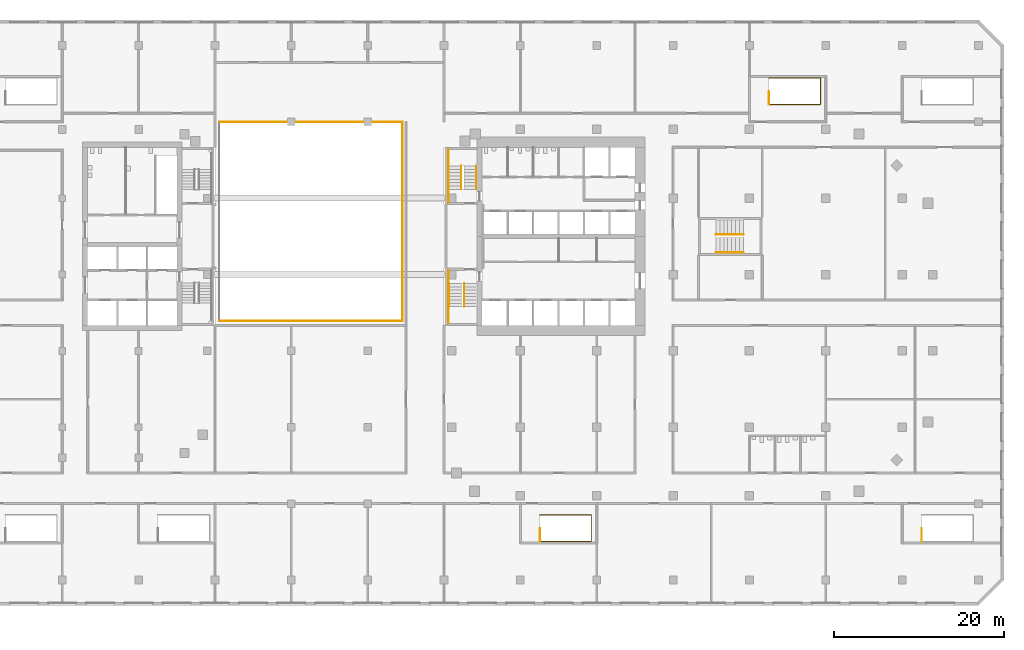
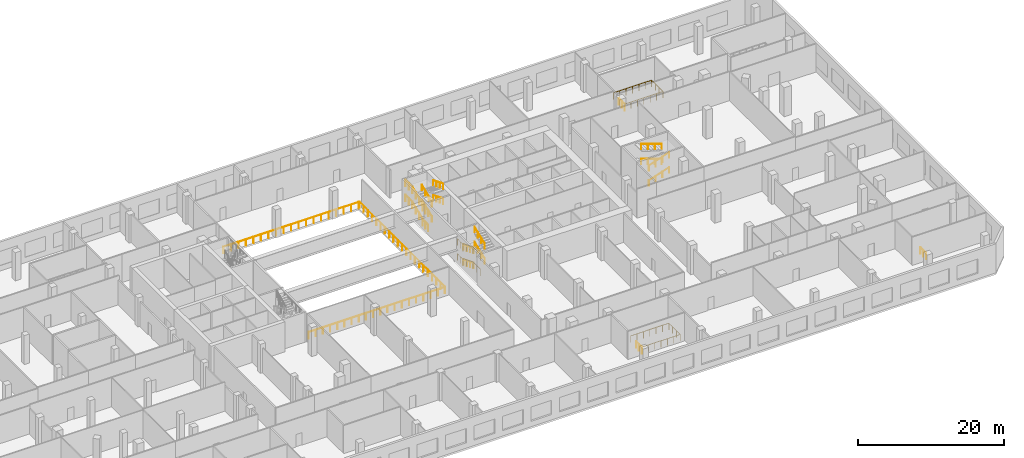
# One storey, part 18 of 20: 24 railings, 3 elements without a shape of their own.
"""IFC4 building model written with IfcOpenShell, lengths in metres."""

from ifc_helpers import new_model, si_unit, direction, frame, origin, origin_2d, place, context, subcontext, project, spatial, circle, extrude, material, type_object, element, aggregate, save


model = new_model("IFC4")

# Units and contexts
model_context = context("Model", 3, precision=1e-05, world=origin(), true_north=direction((0.0, 1.0)))
body_context = subcontext(model_context, "Body", "Model", "MODEL_VIEW")
ifc_project = project(units=[si_unit("LENGTHUNIT", "METRE"), si_unit("AREAUNIT", "SQUARE_METRE"), si_unit("VOLUMEUNIT", "CUBIC_METRE"), si_unit("PLANEANGLEUNIT", "RADIAN"), si_unit("MASSUNIT", "GRAM", prefix="KILO")], contexts=[model_context])

# Site, building, storey
site_placement = place(None, origin())
site = spatial("IfcSite", under=ifc_project, at=site_placement, CompositionType="ELEMENT")
building_placement = place(site_placement, origin())
building = spatial("IfcBuilding", under=site, at=building_placement, Name="Cinnabar Reach Civic Tower", CompositionType="ELEMENT")
storey_placement = place(building_placement, frame((0.0, 0.0, 21.0)))
storey = spatial("IfcBuildingStorey", under=building, at=storey_placement, Name="L04", CompositionType="ELEMENT", Elevation=21.0)

# Railings
ifc_material_1 = material(Name="Stainless steel and glass", Category="steel")
railing_type_1 = type_object("IfcRailingType", Name="Podium guard 1100", PredefinedType="GUARDRAIL", material=ifc_material_1)
railing_1_placement = place(storey_placement, frame((11.3, -4.45, 0.0)))
element("IfcRailing", 1, at=railing_1_placement, inside=storey, type_object=railing_type_1, Name="Stair well guard PS3 L04", PredefinedType="GUARDRAIL", context=body_context, shape_type="SweptSolid", body=[
    extrude(circle(Radius=0.024, at=origin_2d()), frame((0.0, 0.0, 1.076), z_axis=(1.0, 0.0, 0.0), x_axis=(0.0, 1.0, 0.0)), (0.0, 0.0, 1.0), 6.05),
    extrude(circle(Radius=0.024, at=origin_2d()), frame((6.05, 0.0, 1.076), z_axis=(0.0, 1.0, 0.0), x_axis=(-1.0, 0.0, 0.0)), (0.0, 0.0, 1.0), 3.1),
    extrude(circle(Radius=0.024, at=origin_2d()), frame((6.05, 3.1, 1.076), z_axis=(-1.0, 0.0, 0.0), x_axis=(0.0, -1.0, 0.0)), (0.0, 0.0, 1.0), 6.05),
    extrude(circle(Radius=0.021, at=origin_2d()), origin(), (0.0, 0.0, 1.0), 1.052),
    extrude(circle(Radius=0.021, at=origin_2d()), frame((1.0083, 0.0, 0.0)), (0.0, 0.0, 1.0), 1.052),
    extrude(circle(Radius=0.021, at=origin_2d()), frame((2.0167, 0.0, 0.0)), (0.0, 0.0, 1.0), 1.052),
    extrude(circle(Radius=0.021, at=origin_2d()), frame((3.025, 0.0, 0.0)), (0.0, 0.0, 1.0), 1.052),
    extrude(circle(Radius=0.021, at=origin_2d()), frame((4.0333, 0.0, 0.0)), (0.0, 0.0, 1.0), 1.052),
    extrude(circle(Radius=0.021, at=origin_2d()), frame((5.0417, 0.0, 0.0)), (0.0, 0.0, 1.0), 1.052),
    extrude(circle(Radius=0.021, at=origin_2d()), frame((6.05, 0.0, 0.0)), (0.0, 0.0, 1.0), 1.052),
    extrude(circle(Radius=0.021, at=origin_2d()), frame((6.05, 1.0333, 0.0)), (0.0, 0.0, 1.0), 1.052),
    extrude(circle(Radius=0.021, at=origin_2d()), frame((6.05, 2.0667, 0.0)), (0.0, 0.0, 1.0), 1.052),
    extrude(circle(Radius=0.021, at=origin_2d()), frame((6.05, 3.1, 0.0)), (0.0, 0.0, 1.0), 1.052),
    extrude(circle(Radius=0.021, at=origin_2d()), frame((5.0417, 3.1, 0.0)), (0.0, 0.0, 1.0), 1.052),
    extrude(circle(Radius=0.021, at=origin_2d()), frame((4.0333, 3.1, 0.0)), (0.0, 0.0, 1.0), 1.052),
    extrude(circle(Radius=0.021, at=origin_2d()), frame((3.025, 3.1, 0.0)), (0.0, 0.0, 1.0), 1.052),
    extrude(circle(Radius=0.021, at=origin_2d()), frame((2.0167, 3.1, 0.0)), (0.0, 0.0, 1.0), 1.052),
    extrude(circle(Radius=0.021, at=origin_2d()), frame((1.0083, 3.1, 0.0)), (0.0, 0.0, 1.0), 1.052),
    extrude(circle(Radius=0.021, at=origin_2d()), frame((0.0, 3.1, 0.0)), (0.0, 0.0, 1.0), 1.052),
])
for number, where, name in (
    (2, (11.3, -4.45, 0.0), "Stair top guard PS3 L04"),
    (3, (56.3, -4.45, 0.0), "Stair top guard PS4 L04"),
):
    element("IfcRailing", number, at=place(storey_placement, frame(where)), inside=storey, type_object=railing_type_1, Name=name, PredefinedType="GUARDRAIL", context=body_context, shape_type="SweptSolid", body=[
        extrude(circle(Radius=0.024, at=origin_2d()), frame((0.0, 0.0, 1.076), z_axis=(0.0, 1.0, 0.0), x_axis=(-1.0, 0.0, 0.0)), (0.0, 0.0, 1.0), 1.55),
        extrude(circle(Radius=0.021, at=origin_2d()), origin(), (0.0, 0.0, 1.0), 1.052),
        extrude(circle(Radius=0.021, at=origin_2d()), frame((0.0, 0.775, 0.0)), (0.0, 0.0, 1.0), 1.052),
        extrude(circle(Radius=0.021, at=origin_2d()), frame((0.0, 1.55, 0.0)), (0.0, 0.0, 1.0), 1.052),
    ])
railing_2_placement = place(storey_placement, frame((38.3, 47.05, 0.0)))
element("IfcRailing", 4, at=railing_2_placement, inside=storey, type_object=railing_type_1, Name="Stair well guard PS6 L04", PredefinedType="GUARDRAIL", context=body_context, shape_type="SweptSolid", body=[
    extrude(circle(Radius=0.024, at=origin_2d()), frame((0.0, 0.0, 1.076), z_axis=(1.0, 0.0, 0.0), x_axis=(0.0, 1.0, 0.0)), (0.0, 0.0, 1.0), 6.05),
    extrude(circle(Radius=0.024, at=origin_2d()), frame((6.05, 0.0, 1.076), z_axis=(0.0, 1.0, 0.0), x_axis=(-1.0, 0.0, 0.0)), (0.0, 0.0, 1.0), 3.1),
    extrude(circle(Radius=0.024, at=origin_2d()), frame((6.05, 3.1, 1.076), z_axis=(-1.0, 0.0, 0.0), x_axis=(0.0, -1.0, 0.0)), (0.0, 0.0, 1.0), 6.05),
    extrude(circle(Radius=0.021, at=origin_2d()), origin(), (0.0, 0.0, 1.0), 1.052),
    extrude(circle(Radius=0.021, at=origin_2d()), frame((1.0083, 0.0, 0.0)), (0.0, 0.0, 1.0), 1.052),
    extrude(circle(Radius=0.021, at=origin_2d()), frame((2.0167, 0.0, 0.0)), (0.0, 0.0, 1.0), 1.052),
    extrude(circle(Radius=0.021, at=origin_2d()), frame((3.025, 0.0, 0.0)), (0.0, 0.0, 1.0), 1.052),
    extrude(circle(Radius=0.021, at=origin_2d()), frame((4.0333, 0.0, 0.0)), (0.0, 0.0, 1.0), 1.052),
    extrude(circle(Radius=0.021, at=origin_2d()), frame((5.0417, 0.0, 0.0)), (0.0, 0.0, 1.0), 1.052),
    extrude(circle(Radius=0.021, at=origin_2d()), frame((6.05, 0.0, 0.0)), (0.0, 0.0, 1.0), 1.052),
    extrude(circle(Radius=0.021, at=origin_2d()), frame((6.05, 1.0333, 0.0)), (0.0, 0.0, 1.0), 1.052),
    extrude(circle(Radius=0.021, at=origin_2d()), frame((6.05, 2.0667, 0.0)), (0.0, 0.0, 1.0), 1.052),
    extrude(circle(Radius=0.021, at=origin_2d()), frame((6.05, 3.1, 0.0)), (0.0, 0.0, 1.0), 1.052),
    extrude(circle(Radius=0.021, at=origin_2d()), frame((5.0417, 3.1, 0.0)), (0.0, 0.0, 1.0), 1.052),
    extrude(circle(Radius=0.021, at=origin_2d()), frame((4.0333, 3.1, 0.0)), (0.0, 0.0, 1.0), 1.052),
    extrude(circle(Radius=0.021, at=origin_2d()), frame((3.025, 3.1, 0.0)), (0.0, 0.0, 1.0), 1.052),
    extrude(circle(Radius=0.021, at=origin_2d()), frame((2.0167, 3.1, 0.0)), (0.0, 0.0, 1.0), 1.052),
    extrude(circle(Radius=0.021, at=origin_2d()), frame((1.0083, 3.1, 0.0)), (0.0, 0.0, 1.0), 1.052),
    extrude(circle(Radius=0.021, at=origin_2d()), frame((0.0, 3.1, 0.0)), (0.0, 0.0, 1.0), 1.052),
])
railing_3_placement = place(storey_placement, frame((38.3, 47.05, 0.0)))
element("IfcRailing", 5, at=railing_3_placement, inside=storey, type_object=railing_type_1, Name="Stair top guard PS6 L04", PredefinedType="GUARDRAIL", context=body_context, shape_type="SweptSolid", body=[
    extrude(circle(Radius=0.024, at=origin_2d()), frame((0.0, 0.0, 1.076), z_axis=(0.0, 1.0, 0.0), x_axis=(-1.0, 0.0, 0.0)), (0.0, 0.0, 1.0), 1.55),
    extrude(circle(Radius=0.021, at=origin_2d()), origin(), (0.0, 0.0, 1.0), 1.052),
    extrude(circle(Radius=0.021, at=origin_2d()), frame((0.0, 0.775, 0.0)), (0.0, 0.0, 1.0), 1.052),
    extrude(circle(Radius=0.021, at=origin_2d()), frame((0.0, 1.55, 0.0)), (0.0, 0.0, 1.0), 1.052),
])
railing_4_placement = place(storey_placement, frame((-26.4, 45.0, 0.0)))
element("IfcRailing", 6, at=railing_4_placement, inside=storey, type_object=railing_type_1, Name="Guard L04-chamber-edge", PredefinedType="GUARDRAIL", context=body_context, shape_type="SweptSolid", body=[
    extrude(circle(Radius=0.024, at=origin_2d()), frame((0.0, 0.0, 1.076), z_axis=(1.0, 0.0, 0.0), x_axis=(0.0, 1.0, 0.0)), (0.0, 0.0, 1.0), 21.4),
    extrude(circle(Radius=0.021, at=origin_2d()), origin(), (0.0, 0.0, 1.0), 1.052),
    extrude(circle(Radius=0.021, at=origin_2d()), frame((1.1889, 0.0, 0.0)), (0.0, 0.0, 1.0), 1.052),
    extrude(circle(Radius=0.021, at=origin_2d()), frame((2.3778, 0.0, 0.0)), (0.0, 0.0, 1.0), 1.052),
    extrude(circle(Radius=0.021, at=origin_2d()), frame((3.5667, 0.0, 0.0)), (0.0, 0.0, 1.0), 1.052),
    extrude(circle(Radius=0.021, at=origin_2d()), frame((4.7556, 0.0, 0.0)), (0.0, 0.0, 1.0), 1.052),
    extrude(circle(Radius=0.021, at=origin_2d()), frame((5.9444, 0.0, 0.0)), (0.0, 0.0, 1.0), 1.052),
    extrude(circle(Radius=0.021, at=origin_2d()), frame((7.1333, 0.0, 0.0)), (0.0, 0.0, 1.0), 1.052),
    extrude(circle(Radius=0.021, at=origin_2d()), frame((8.3222, 0.0, 0.0)), (0.0, 0.0, 1.0), 1.052),
    extrude(circle(Radius=0.021, at=origin_2d()), frame((9.5111, 0.0, 0.0)), (0.0, 0.0, 1.0), 1.052),
    extrude(circle(Radius=0.021, at=origin_2d()), frame((10.7, 0.0, 0.0)), (0.0, 0.0, 1.0), 1.052),
    extrude(circle(Radius=0.021, at=origin_2d()), frame((11.8889, 0.0, 0.0)), (0.0, 0.0, 1.0), 1.052),
    extrude(circle(Radius=0.021, at=origin_2d()), frame((13.0778, 0.0, 0.0)), (0.0, 0.0, 1.0), 1.052),
    extrude(circle(Radius=0.021, at=origin_2d()), frame((14.2667, 0.0, 0.0)), (0.0, 0.0, 1.0), 1.052),
    extrude(circle(Radius=0.021, at=origin_2d()), frame((15.4556, 0.0, 0.0)), (0.0, 0.0, 1.0), 1.052),
    extrude(circle(Radius=0.021, at=origin_2d()), frame((16.6444, 0.0, 0.0)), (0.0, 0.0, 1.0), 1.052),
    extrude(circle(Radius=0.021, at=origin_2d()), frame((17.8333, 0.0, 0.0)), (0.0, 0.0, 1.0), 1.052),
    extrude(circle(Radius=0.021, at=origin_2d()), frame((19.0222, 0.0, 0.0)), (0.0, 0.0, 1.0), 1.052),
    extrude(circle(Radius=0.021, at=origin_2d()), frame((20.2111, 0.0, 0.0)), (0.0, 0.0, 1.0), 1.052),
    extrude(circle(Radius=0.021, at=origin_2d()), frame((21.4, 0.0, 0.0)), (0.0, 0.0, 1.0), 1.052),
])
railing_5_placement = place(storey_placement, frame((-26.5, 21.5, 0.0)))
element("IfcRailing", 7, at=railing_5_placement, inside=storey, type_object=railing_type_1, Name="Opening guard L04 cv-s", PredefinedType="GUARDRAIL", context=body_context, shape_type="SweptSolid", body=[
    extrude(circle(Radius=0.024, at=origin_2d()), frame((0.0, 0.0, 1.076), z_axis=(1.0, 0.0, 0.0), x_axis=(0.0, 1.0, 0.0)), (0.0, 0.0, 1.0), 21.6),
    extrude(circle(Radius=0.021, at=origin_2d()), origin(), (0.0, 0.0, 1.0), 1.052),
    extrude(circle(Radius=0.021, at=origin_2d()), frame((1.1368, 0.0, 0.0)), (0.0, 0.0, 1.0), 1.052),
    extrude(circle(Radius=0.021, at=origin_2d()), frame((2.2737, 0.0, 0.0)), (0.0, 0.0, 1.0), 1.052),
    extrude(circle(Radius=0.021, at=origin_2d()), frame((3.4105, 0.0, 0.0)), (0.0, 0.0, 1.0), 1.052),
    extrude(circle(Radius=0.021, at=origin_2d()), frame((4.5474, 0.0, 0.0)), (0.0, 0.0, 1.0), 1.052),
    extrude(circle(Radius=0.021, at=origin_2d()), frame((5.6842, 0.0, 0.0)), (0.0, 0.0, 1.0), 1.052),
    extrude(circle(Radius=0.021, at=origin_2d()), frame((6.8211, 0.0, 0.0)), (0.0, 0.0, 1.0), 1.052),
    extrude(circle(Radius=0.021, at=origin_2d()), frame((7.9579, 0.0, 0.0)), (0.0, 0.0, 1.0), 1.052),
    extrude(circle(Radius=0.021, at=origin_2d()), frame((9.0947, 0.0, 0.0)), (0.0, 0.0, 1.0), 1.052),
    extrude(circle(Radius=0.021, at=origin_2d()), frame((10.2316, 0.0, 0.0)), (0.0, 0.0, 1.0), 1.052),
    extrude(circle(Radius=0.021, at=origin_2d()), frame((11.3684, 0.0, 0.0)), (0.0, 0.0, 1.0), 1.052),
    extrude(circle(Radius=0.021, at=origin_2d()), frame((12.5053, 0.0, 0.0)), (0.0, 0.0, 1.0), 1.052),
    extrude(circle(Radius=0.021, at=origin_2d()), frame((13.6421, 0.0, 0.0)), (0.0, 0.0, 1.0), 1.052),
    extrude(circle(Radius=0.021, at=origin_2d()), frame((14.7789, 0.0, 0.0)), (0.0, 0.0, 1.0), 1.052),
    extrude(circle(Radius=0.021, at=origin_2d()), frame((15.9158, 0.0, 0.0)), (0.0, 0.0, 1.0), 1.052),
    extrude(circle(Radius=0.021, at=origin_2d()), frame((17.0526, 0.0, 0.0)), (0.0, 0.0, 1.0), 1.052),
    extrude(circle(Radius=0.021, at=origin_2d()), frame((18.1895, 0.0, 0.0)), (0.0, 0.0, 1.0), 1.052),
    extrude(circle(Radius=0.021, at=origin_2d()), frame((19.3263, 0.0, 0.0)), (0.0, 0.0, 1.0), 1.052),
    extrude(circle(Radius=0.021, at=origin_2d()), frame((20.4632, 0.0, 0.0)), (0.0, 0.0, 1.0), 1.052),
    extrude(circle(Radius=0.021, at=origin_2d()), frame((21.6, 0.0, 0.0)), (0.0, 0.0, 1.0), 1.052),
])
railing_6_placement = place(storey_placement, frame((-4.9, 21.5, 0.0)))
element("IfcRailing", 8, at=railing_6_placement, inside=storey, type_object=railing_type_1, Name="Opening guard L04 cv-e", PredefinedType="GUARDRAIL", context=body_context, shape_type="SweptSolid", body=[
    extrude(circle(Radius=0.024, at=origin_2d()), frame((0.0, 0.0, 1.076), z_axis=(0.0, 1.0, 0.0), x_axis=(-1.0, 0.0, 0.0)), (0.0, 0.0, 1.0), 23.5),
    extrude(circle(Radius=0.021, at=origin_2d()), origin(), (0.0, 0.0, 1.0), 1.052),
    extrude(circle(Radius=0.021, at=origin_2d()), frame((0.0, 1.175, 0.0)), (0.0, 0.0, 1.0), 1.052),
    extrude(circle(Radius=0.021, at=origin_2d()), frame((0.0, 2.35, 0.0)), (0.0, 0.0, 1.0), 1.052),
    extrude(circle(Radius=0.021, at=origin_2d()), frame((0.0, 3.525, 0.0)), (0.0, 0.0, 1.0), 1.052),
    extrude(circle(Radius=0.021, at=origin_2d()), frame((0.0, 4.7, 0.0)), (0.0, 0.0, 1.0), 1.052),
    extrude(circle(Radius=0.021, at=origin_2d()), frame((0.0, 5.875, 0.0)), (0.0, 0.0, 1.0), 1.052),
    extrude(circle(Radius=0.021, at=origin_2d()), frame((0.0, 7.05, 0.0)), (0.0, 0.0, 1.0), 1.052),
    extrude(circle(Radius=0.021, at=origin_2d()), frame((0.0, 8.225, 0.0)), (0.0, 0.0, 1.0), 1.052),
    extrude(circle(Radius=0.021, at=origin_2d()), frame((0.0, 9.4, 0.0)), (0.0, 0.0, 1.0), 1.052),
    extrude(circle(Radius=0.021, at=origin_2d()), frame((0.0, 10.575, 0.0)), (0.0, 0.0, 1.0), 1.052),
    extrude(circle(Radius=0.021, at=origin_2d()), frame((0.0, 11.75, 0.0)), (0.0, 0.0, 1.0), 1.052),
    extrude(circle(Radius=0.021, at=origin_2d()), frame((0.0, 12.925, 0.0)), (0.0, 0.0, 1.0), 1.052),
    extrude(circle(Radius=0.021, at=origin_2d()), frame((0.0, 14.1, 0.0)), (0.0, 0.0, 1.0), 1.052),
    extrude(circle(Radius=0.021, at=origin_2d()), frame((0.0, 15.275, 0.0)), (0.0, 0.0, 1.0), 1.052),
    extrude(circle(Radius=0.021, at=origin_2d()), frame((0.0, 16.45, 0.0)), (0.0, 0.0, 1.0), 1.052),
    extrude(circle(Radius=0.021, at=origin_2d()), frame((0.0, 17.625, 0.0)), (0.0, 0.0, 1.0), 1.052),
    extrude(circle(Radius=0.021, at=origin_2d()), frame((0.0, 18.8, 0.0)), (0.0, 0.0, 1.0), 1.052),
    extrude(circle(Radius=0.021, at=origin_2d()), frame((0.0, 19.975, 0.0)), (0.0, 0.0, 1.0), 1.052),
    extrude(circle(Radius=0.021, at=origin_2d()), frame((0.0, 21.15, 0.0)), (0.0, 0.0, 1.0), 1.052),
    extrude(circle(Radius=0.021, at=origin_2d()), frame((0.0, 22.325, 0.0)), (0.0, 0.0, 1.0), 1.052),
    extrude(circle(Radius=0.021, at=origin_2d()), frame((0.0, 23.5, 0.0)), (0.0, 0.0, 1.0), 1.052),
])

# Stair, railings
ifc_material_2 = material(Name="Concrete C40/50", Category="concrete")
stair_type = type_object("IfcStairType", Name="T1 Exit stair, double return", PredefinedType="DOUBLE_RETURN_STAIR", material=ifc_material_2)
stair_1_placement = place(storey_placement, origin())
stair_1 = element("IfcStair", 9, at=stair_1_placement, inside=storey, type_object=stair_type, Name="Stair T1-S1", PredefinedType="DOUBLE_RETURN_STAIR")
ifc_material_3 = material(Name="Stainless steel tube", Category="steel")
railing_type_2 = type_object("IfcRailingType", Name="T1 Stair handrail, stainless tube 48", PredefinedType="HANDRAIL", material=ifc_material_3)
railing_7_placement = place(storey_placement, frame((0.6, 25.95, 0.1562)))
railing_7 = element("IfcRailing", 10, at=railing_7_placement, type_object=railing_type_2, Name="T1-S1 handrail 1", PredefinedType="HANDRAIL", context=body_context, shape_type="SweptSolid", body=[
    extrude(circle(Radius=0.024, at=origin_2d()), frame((0.0, 0.0, 0.876), z_axis=(0.0, -0.928966009512, 0.370165035047), x_axis=(1.0, 0.0, 0.0)), (0.0, 0.0, 1.0), 2.9549),
    extrude(circle(Radius=0.021, at=origin_2d()), origin(), (0.0, 0.0, 1.0), 0.852),
    extrude(circle(Radius=0.021, at=origin_2d()), frame((0.0, -0.915, 0.3646)), (0.0, 0.0, 1.0), 0.852),
    extrude(circle(Radius=0.021, at=origin_2d()), frame((0.0, -1.83, 0.7292)), (0.0, 0.0, 1.0), 0.852),
    extrude(circle(Radius=0.021, at=origin_2d()), frame((0.0, -2.745, 1.0938)), (0.0, 0.0, 1.0), 0.852),
])
railing_8_placement = place(storey_placement, frame((2.375, 23.205, 1.4062)))
railing_8 = element("IfcRailing", 11, at=railing_8_placement, type_object=railing_type_2, Name="T1-S1 handrail 2", PredefinedType="HANDRAIL", context=body_context, shape_type="SweptSolid", body=[
    extrude(circle(Radius=0.024, at=origin_2d()), frame((0.0, 0.0, 0.876), z_axis=(0.0, 0.928966009512, 0.370165035047), x_axis=(-1.0, 0.0, 0.0)), (0.0, 0.0, 1.0), 2.9549),
    extrude(circle(Radius=0.021, at=origin_2d()), origin(), (0.0, 0.0, 1.0), 0.852),
    extrude(circle(Radius=0.021, at=origin_2d()), frame((0.0, 0.915, 0.3646)), (0.0, 0.0, 1.0), 0.852),
    extrude(circle(Radius=0.021, at=origin_2d()), frame((0.0, 1.83, 0.7292)), (0.0, 0.0, 1.0), 0.852),
    extrude(circle(Radius=0.021, at=origin_2d()), frame((0.0, 2.745, 1.0938)), (0.0, 0.0, 1.0), 0.852),
])
railing_9_placement = place(storey_placement, frame((0.6, 25.95, 2.6562)))
railing_9 = element("IfcRailing", 12, at=railing_9_placement, type_object=railing_type_2, Name="T1-S1 handrail 3", PredefinedType="HANDRAIL", context=body_context, shape_type="SweptSolid", body=[
    extrude(circle(Radius=0.024, at=origin_2d()), frame((0.0, 0.0, 0.876), z_axis=(0.0, -0.928966009512, 0.370165035047), x_axis=(1.0, 0.0, 0.0)), (0.0, 0.0, 1.0), 2.9549),
    extrude(circle(Radius=0.021, at=origin_2d()), origin(), (0.0, 0.0, 1.0), 0.852),
    extrude(circle(Radius=0.021, at=origin_2d()), frame((0.0, -0.915, 0.3646)), (0.0, 0.0, 1.0), 0.852),
    extrude(circle(Radius=0.021, at=origin_2d()), frame((0.0, -1.83, 0.7292)), (0.0, 0.0, 1.0), 0.852),
    extrude(circle(Radius=0.021, at=origin_2d()), frame((0.0, -2.745, 1.0938)), (0.0, 0.0, 1.0), 0.852),
])
railing_10_placement = place(storey_placement, frame((2.375, 23.205, 3.9062)))
railing_10 = element("IfcRailing", 13, at=railing_10_placement, type_object=railing_type_2, Name="T1-S1 handrail 4", PredefinedType="HANDRAIL", context=body_context, shape_type="SweptSolid", body=[
    extrude(circle(Radius=0.024, at=origin_2d()), frame((0.0, 0.0, 0.876), z_axis=(0.0, 0.928966009512, 0.370165035047), x_axis=(-1.0, 0.0, 0.0)), (0.0, 0.0, 1.0), 2.9549),
    extrude(circle(Radius=0.021, at=origin_2d()), origin(), (0.0, 0.0, 1.0), 0.852),
    extrude(circle(Radius=0.021, at=origin_2d()), frame((0.0, 0.915, 0.3646)), (0.0, 0.0, 1.0), 0.852),
    extrude(circle(Radius=0.021, at=origin_2d()), frame((0.0, 1.83, 0.7292)), (0.0, 0.0, 1.0), 0.852),
    extrude(circle(Radius=0.021, at=origin_2d()), frame((0.0, 2.745, 1.0938)), (0.0, 0.0, 1.0), 0.852),
])

stair_2_placement = place(storey_placement, origin())
stair_2 = element("IfcStair", 14, at=stair_2_placement, inside=storey, type_object=stair_type, Name="Stair T1-S2", PredefinedType="DOUBLE_RETURN_STAIR")
railing_11_placement = place(storey_placement, frame((2.025, 37.05, 0.1562)))
railing_11 = element("IfcRailing", 15, at=railing_11_placement, type_object=railing_type_2, Name="T1-S2 handrail 1", PredefinedType="HANDRAIL", context=body_context, shape_type="SweptSolid", body=[
    extrude(circle(Radius=0.024, at=origin_2d()), frame((0.0, 0.0, 0.876), z_axis=(0.0, 0.928966009512, 0.370165035047), x_axis=(-1.0, 0.0, 0.0)), (0.0, 0.0, 1.0), 2.9549),
    extrude(circle(Radius=0.021, at=origin_2d()), origin(), (0.0, 0.0, 1.0), 0.852),
    extrude(circle(Radius=0.021, at=origin_2d()), frame((0.0, 0.915, 0.3646)), (0.0, 0.0, 1.0), 0.852),
    extrude(circle(Radius=0.021, at=origin_2d()), frame((0.0, 1.83, 0.7292)), (0.0, 0.0, 1.0), 0.852),
    extrude(circle(Radius=0.021, at=origin_2d()), frame((0.0, 2.745, 1.0938)), (0.0, 0.0, 1.0), 0.852),
])
railing_12_placement = place(storey_placement, frame((3.8, 39.795, 1.4062)))
railing_12 = element("IfcRailing", 16, at=railing_12_placement, type_object=railing_type_2, Name="T1-S2 handrail 2", PredefinedType="HANDRAIL", context=body_context, shape_type="SweptSolid", body=[
    extrude(circle(Radius=0.024, at=origin_2d()), frame((0.0, 0.0, 0.876), z_axis=(0.0, -0.928966009512, 0.370165035047), x_axis=(1.0, 0.0, 0.0)), (0.0, 0.0, 1.0), 2.9549),
    extrude(circle(Radius=0.021, at=origin_2d()), origin(), (0.0, 0.0, 1.0), 0.852),
    extrude(circle(Radius=0.021, at=origin_2d()), frame((0.0, -0.915, 0.3646)), (0.0, 0.0, 1.0), 0.852),
    extrude(circle(Radius=0.021, at=origin_2d()), frame((0.0, -1.83, 0.7292)), (0.0, 0.0, 1.0), 0.852),
    extrude(circle(Radius=0.021, at=origin_2d()), frame((0.0, -2.745, 1.0938)), (0.0, 0.0, 1.0), 0.852),
])
railing_13_placement = place(storey_placement, frame((2.025, 37.05, 2.6562)))
railing_13 = element("IfcRailing", 17, at=railing_13_placement, type_object=railing_type_2, Name="T1-S2 handrail 3", PredefinedType="HANDRAIL", context=body_context, shape_type="SweptSolid", body=[
    extrude(circle(Radius=0.024, at=origin_2d()), frame((0.0, 0.0, 0.876), z_axis=(0.0, 0.928966009512, 0.370165035047), x_axis=(-1.0, 0.0, 0.0)), (0.0, 0.0, 1.0), 2.9549),
    extrude(circle(Radius=0.021, at=origin_2d()), origin(), (0.0, 0.0, 1.0), 0.852),
    extrude(circle(Radius=0.021, at=origin_2d()), frame((0.0, 0.915, 0.3646)), (0.0, 0.0, 1.0), 0.852),
    extrude(circle(Radius=0.021, at=origin_2d()), frame((0.0, 1.83, 0.7292)), (0.0, 0.0, 1.0), 0.852),
    extrude(circle(Radius=0.021, at=origin_2d()), frame((0.0, 2.745, 1.0938)), (0.0, 0.0, 1.0), 0.852),
])
railing_14_placement = place(storey_placement, frame((3.8, 39.795, 3.9062)))
railing_14 = element("IfcRailing", 18, at=railing_14_placement, type_object=railing_type_2, Name="T1-S2 handrail 4", PredefinedType="HANDRAIL", context=body_context, shape_type="SweptSolid", body=[
    extrude(circle(Radius=0.024, at=origin_2d()), frame((0.0, 0.0, 0.876), z_axis=(0.0, -0.928966009512, 0.370165035047), x_axis=(1.0, 0.0, 0.0)), (0.0, 0.0, 1.0), 2.9549),
    extrude(circle(Radius=0.021, at=origin_2d()), origin(), (0.0, 0.0, 1.0), 0.852),
    extrude(circle(Radius=0.021, at=origin_2d()), frame((0.0, -0.915, 0.3646)), (0.0, 0.0, 1.0), 0.852),
    extrude(circle(Radius=0.021, at=origin_2d()), frame((0.0, -1.83, 0.7292)), (0.0, 0.0, 1.0), 0.852),
    extrude(circle(Radius=0.021, at=origin_2d()), frame((0.0, -2.745, 1.0938)), (0.0, 0.0, 1.0), 0.852),
])

stair_3_placement = place(storey_placement, origin())
stair_3 = element("IfcStair", 19, at=stair_3_placement, inside=storey, type_object=stair_type, Name="Stair T1-S3", PredefinedType="DOUBLE_RETURN_STAIR")
railing_15_placement = place(storey_placement, frame((32.05, 29.6, 0.1562)))
railing_15 = element("IfcRailing", 20, at=railing_15_placement, type_object=railing_type_2, Name="T1-S3 handrail 1", PredefinedType="HANDRAIL", context=body_context, shape_type="SweptSolid", body=[
    extrude(circle(Radius=0.024, at=origin_2d()), frame((0.0, 0.0, 0.876), z_axis=(0.947465695108, 0.0, 0.319857400404), x_axis=(0.0, 1.0, 0.0)), (0.0, 0.0, 1.0), 3.4196),
    extrude(circle(Radius=0.021, at=origin_2d()), origin(), (0.0, 0.0, 1.0), 0.852),
    extrude(circle(Radius=0.021, at=origin_2d()), frame((1.08, 0.0, 0.3646)), (0.0, 0.0, 1.0), 0.852),
    extrude(circle(Radius=0.021, at=origin_2d()), frame((2.16, 0.0, 0.7292)), (0.0, 0.0, 1.0), 0.852),
    extrude(circle(Radius=0.021, at=origin_2d()), frame((3.24, 0.0, 1.0938)), (0.0, 0.0, 1.0), 0.852),
])
railing_16_placement = place(storey_placement, frame((35.29, 31.7, 1.4062)))
railing_16 = element("IfcRailing", 21, at=railing_16_placement, type_object=railing_type_2, Name="T1-S3 handrail 2", PredefinedType="HANDRAIL", context=body_context, shape_type="SweptSolid", body=[
    extrude(circle(Radius=0.024, at=origin_2d()), frame((0.0, 0.0, 0.876), z_axis=(-0.947465695108, 0.0, 0.319857400404), x_axis=(0.0, -1.0, 0.0)), (0.0, 0.0, 1.0), 3.4196),
    extrude(circle(Radius=0.021, at=origin_2d()), origin(), (0.0, 0.0, 1.0), 0.852),
    extrude(circle(Radius=0.021, at=origin_2d()), frame((-1.08, 0.0, 0.3646)), (0.0, 0.0, 1.0), 0.852),
    extrude(circle(Radius=0.021, at=origin_2d()), frame((-2.16, 0.0, 0.7292)), (0.0, 0.0, 1.0), 0.852),
    extrude(circle(Radius=0.021, at=origin_2d()), frame((-3.24, 0.0, 1.0938)), (0.0, 0.0, 1.0), 0.852),
])
railing_17_placement = place(storey_placement, frame((32.05, 29.6, 2.6562)))
railing_17 = element("IfcRailing", 22, at=railing_17_placement, type_object=railing_type_2, Name="T1-S3 handrail 3", PredefinedType="HANDRAIL", context=body_context, shape_type="SweptSolid", body=[
    extrude(circle(Radius=0.024, at=origin_2d()), frame((0.0, 0.0, 0.876), z_axis=(0.947465695108, 0.0, 0.319857400404), x_axis=(0.0, 1.0, 0.0)), (0.0, 0.0, 1.0), 3.4196),
    extrude(circle(Radius=0.021, at=origin_2d()), origin(), (0.0, 0.0, 1.0), 0.852),
    extrude(circle(Radius=0.021, at=origin_2d()), frame((1.08, 0.0, 0.3646)), (0.0, 0.0, 1.0), 0.852),
    extrude(circle(Radius=0.021, at=origin_2d()), frame((2.16, 0.0, 0.7292)), (0.0, 0.0, 1.0), 0.852),
    extrude(circle(Radius=0.021, at=origin_2d()), frame((3.24, 0.0, 1.0938)), (0.0, 0.0, 1.0), 0.852),
])
railing_18_placement = place(storey_placement, frame((35.29, 31.7, 3.9062)))
railing_18 = element("IfcRailing", 23, at=railing_18_placement, type_object=railing_type_2, Name="T1-S3 handrail 4", PredefinedType="HANDRAIL", context=body_context, shape_type="SweptSolid", body=[
    extrude(circle(Radius=0.024, at=origin_2d()), frame((0.0, 0.0, 0.876), z_axis=(-0.947465695108, 0.0, 0.319857400404), x_axis=(0.0, -1.0, 0.0)), (0.0, 0.0, 1.0), 3.4196),
    extrude(circle(Radius=0.021, at=origin_2d()), origin(), (0.0, 0.0, 1.0), 0.852),
    extrude(circle(Radius=0.021, at=origin_2d()), frame((-1.08, 0.0, 0.3646)), (0.0, 0.0, 1.0), 0.852),
    extrude(circle(Radius=0.021, at=origin_2d()), frame((-2.16, 0.0, 0.7292)), (0.0, 0.0, 1.0), 0.852),
    extrude(circle(Radius=0.021, at=origin_2d()), frame((-3.24, 0.0, 1.0938)), (0.0, 0.0, 1.0), 0.852),
])
aggregate(stair_3, [railing_15, railing_16, railing_17, railing_18])

# Railing
ifc_material_4 = material(Name="Stainless steel and laminated glass", Category="steel")
railing_type_3 = type_object("IfcRailingType", Name="T1 stair guard, stainless balustrade 1100", PredefinedType="GUARDRAIL", material=ifc_material_4)
railing_19_placement = place(storey_placement, frame((0.53, 27.5, 0.0)))
railing_19 = element("IfcRailing", 24, at=railing_19_placement, type_object=railing_type_3, Name="T1-S1 guard 1", PredefinedType="GUARDRAIL", context=body_context, shape_type="SweptSolid", body=[
    extrude(circle(Radius=0.024, at=origin_2d()), frame((0.0, 0.0, 1.076), z_axis=(0.0, -1.0, 0.0), x_axis=(1.0, 0.0, 0.0)), (0.0, 0.0, 1.0), 1.55),
    extrude(circle(Radius=0.024, at=origin_2d()), frame((0.0, -1.55, 1.076), z_axis=(0.0, 0.0, 1.0), x_axis=(1.0, 0.0, 0.0)), (0.0, 0.0, 1.0), 0.1562),
    extrude(circle(Radius=0.024, at=origin_2d()), frame((0.0, -1.55, 1.2322), z_axis=(0.0, -0.928966009512, 0.370165035047), x_axis=(1.0, 0.0, 0.0)), (0.0, 0.0, 1.0), 2.9549),
    extrude(circle(Radius=0.024, at=origin_2d()), frame((0.0, -4.295, 2.326), z_axis=(0.0, -1.0, 0.0), x_axis=(1.0, 0.0, 0.0)), (0.0, 0.0, 1.0), 1.955),
    extrude(circle(Radius=0.021, at=origin_2d()), origin(), (0.0, 0.0, 1.0), 1.052),
    extrude(circle(Radius=0.021, at=origin_2d()), frame((0.0, -0.775, 0.0)), (0.0, 0.0, 1.0), 1.052),
    extrude(circle(Radius=0.021, at=origin_2d()), frame((0.0, -1.55, 0.0)), (0.0, 0.0, 1.0), 1.052),
    extrude(circle(Radius=0.021, at=origin_2d()), frame((0.0, -1.55, 0.1562)), (0.0, 0.0, 1.0), 1.052),
    extrude(circle(Radius=0.021, at=origin_2d()), frame((0.0, -2.465, 0.5208)), (0.0, 0.0, 1.0), 1.052),
    extrude(circle(Radius=0.021, at=origin_2d()), frame((0.0, -3.38, 0.8854)), (0.0, 0.0, 1.0), 1.052),
    extrude(circle(Radius=0.021, at=origin_2d()), frame((0.0, -4.295, 1.25)), (0.0, 0.0, 1.0), 1.052),
    extrude(circle(Radius=0.021, at=origin_2d()), frame((0.0, -5.2725, 1.25)), (0.0, 0.0, 1.0), 1.052),
    extrude(circle(Radius=0.021, at=origin_2d()), frame((0.0, -6.25, 1.25)), (0.0, 0.0, 1.0), 1.052),
])

railing_20_placement = place(storey_placement, frame((0.53, 27.5, 2.5)))
railing_20 = element("IfcRailing", 25, at=railing_20_placement, type_object=railing_type_3, Name="T1-S1 guard 2", PredefinedType="GUARDRAIL", context=body_context, shape_type="SweptSolid", body=[
    extrude(circle(Radius=0.024, at=origin_2d()), frame((0.0, 0.0, 1.076), z_axis=(0.0, -1.0, 0.0), x_axis=(1.0, 0.0, 0.0)), (0.0, 0.0, 1.0), 1.55),
    extrude(circle(Radius=0.024, at=origin_2d()), frame((0.0, -1.55, 1.076), z_axis=(0.0, 0.0, 1.0), x_axis=(1.0, 0.0, 0.0)), (0.0, 0.0, 1.0), 0.1562),
    extrude(circle(Radius=0.024, at=origin_2d()), frame((0.0, -1.55, 1.2322), z_axis=(0.0, -0.928966009512, 0.370165035047), x_axis=(1.0, 0.0, 0.0)), (0.0, 0.0, 1.0), 2.9549),
    extrude(circle(Radius=0.024, at=origin_2d()), frame((0.0, -4.295, 2.326), z_axis=(0.0, -1.0, 0.0), x_axis=(1.0, 0.0, 0.0)), (0.0, 0.0, 1.0), 1.955),
    extrude(circle(Radius=0.021, at=origin_2d()), origin(), (0.0, 0.0, 1.0), 1.052),
    extrude(circle(Radius=0.021, at=origin_2d()), frame((0.0, -0.775, 0.0)), (0.0, 0.0, 1.0), 1.052),
    extrude(circle(Radius=0.021, at=origin_2d()), frame((0.0, -1.55, 0.0)), (0.0, 0.0, 1.0), 1.052),
    extrude(circle(Radius=0.021, at=origin_2d()), frame((0.0, -1.55, 0.1562)), (0.0, 0.0, 1.0), 1.052),
    extrude(circle(Radius=0.021, at=origin_2d()), frame((0.0, -2.465, 0.5208)), (0.0, 0.0, 1.0), 1.052),
    extrude(circle(Radius=0.021, at=origin_2d()), frame((0.0, -3.38, 0.8854)), (0.0, 0.0, 1.0), 1.052),
    extrude(circle(Radius=0.021, at=origin_2d()), frame((0.0, -4.295, 1.25)), (0.0, 0.0, 1.0), 1.052),
    extrude(circle(Radius=0.021, at=origin_2d()), frame((0.0, -5.2725, 1.25)), (0.0, 0.0, 1.0), 1.052),
    extrude(circle(Radius=0.021, at=origin_2d()), frame((0.0, -6.25, 1.25)), (0.0, 0.0, 1.0), 1.052),
])

aggregate(stair_1, [railing_7, railing_8, railing_9, railing_10, railing_19, railing_20])

railing_21_placement = place(storey_placement, frame((0.53, 35.5, 0.0)))
railing_21 = element("IfcRailing", 26, at=railing_21_placement, type_object=railing_type_3, Name="T1-S2 guard 1", PredefinedType="GUARDRAIL", context=body_context, shape_type="SweptSolid", body=[
    extrude(circle(Radius=0.024, at=origin_2d()), frame((0.0, 0.0, 1.076), z_axis=(0.0, 1.0, 0.0), x_axis=(-1.0, 0.0, 0.0)), (0.0, 0.0, 1.0), 1.55),
    extrude(circle(Radius=0.024, at=origin_2d()), frame((0.0, 1.55, 1.076), z_axis=(0.0, 0.0, 1.0), x_axis=(1.0, 0.0, 0.0)), (0.0, 0.0, 1.0), 0.1562),
    extrude(circle(Radius=0.024, at=origin_2d()), frame((0.0, 1.55, 1.2322), z_axis=(0.0, 0.928966009512, 0.370165035047), x_axis=(-1.0, 0.0, 0.0)), (0.0, 0.0, 1.0), 2.9549),
    extrude(circle(Radius=0.024, at=origin_2d()), frame((0.0, 4.295, 2.326), z_axis=(0.0, 1.0, 0.0), x_axis=(-1.0, 0.0, 0.0)), (0.0, 0.0, 1.0), 1.955),
    extrude(circle(Radius=0.021, at=origin_2d()), origin(), (0.0, 0.0, 1.0), 1.052),
    extrude(circle(Radius=0.021, at=origin_2d()), frame((0.0, 0.775, 0.0)), (0.0, 0.0, 1.0), 1.052),
    extrude(circle(Radius=0.021, at=origin_2d()), frame((0.0, 1.55, 0.0)), (0.0, 0.0, 1.0), 1.052),
    extrude(circle(Radius=0.021, at=origin_2d()), frame((0.0, 1.55, 0.1562)), (0.0, 0.0, 1.0), 1.052),
    extrude(circle(Radius=0.021, at=origin_2d()), frame((0.0, 2.465, 0.5208)), (0.0, 0.0, 1.0), 1.052),
    extrude(circle(Radius=0.021, at=origin_2d()), frame((0.0, 3.38, 0.8854)), (0.0, 0.0, 1.0), 1.052),
    extrude(circle(Radius=0.021, at=origin_2d()), frame((0.0, 4.295, 1.25)), (0.0, 0.0, 1.0), 1.052),
    extrude(circle(Radius=0.021, at=origin_2d()), frame((0.0, 5.2725, 1.25)), (0.0, 0.0, 1.0), 1.052),
    extrude(circle(Radius=0.021, at=origin_2d()), frame((0.0, 6.25, 1.25)), (0.0, 0.0, 1.0), 1.052),
])

railing_22_placement = place(storey_placement, frame((0.53, 35.5, 2.5)))
railing_22 = element("IfcRailing", 27, at=railing_22_placement, type_object=railing_type_3, Name="T1-S2 guard 2", PredefinedType="GUARDRAIL", context=body_context, shape_type="SweptSolid", body=[
    extrude(circle(Radius=0.024, at=origin_2d()), frame((0.0, 0.0, 1.076), z_axis=(0.0, 1.0, 0.0), x_axis=(-1.0, 0.0, 0.0)), (0.0, 0.0, 1.0), 1.55),
    extrude(circle(Radius=0.024, at=origin_2d()), frame((0.0, 1.55, 1.076), z_axis=(0.0, 0.0, 1.0), x_axis=(1.0, 0.0, 0.0)), (0.0, 0.0, 1.0), 0.1562),
    extrude(circle(Radius=0.024, at=origin_2d()), frame((0.0, 1.55, 1.2322), z_axis=(0.0, 0.928966009512, 0.370165035047), x_axis=(-1.0, 0.0, 0.0)), (0.0, 0.0, 1.0), 2.9549),
    extrude(circle(Radius=0.024, at=origin_2d()), frame((0.0, 4.295, 2.326), z_axis=(0.0, 1.0, 0.0), x_axis=(-1.0, 0.0, 0.0)), (0.0, 0.0, 1.0), 1.955),
    extrude(circle(Radius=0.021, at=origin_2d()), origin(), (0.0, 0.0, 1.0), 1.052),
    extrude(circle(Radius=0.021, at=origin_2d()), frame((0.0, 0.775, 0.0)), (0.0, 0.0, 1.0), 1.052),
    extrude(circle(Radius=0.021, at=origin_2d()), frame((0.0, 1.55, 0.0)), (0.0, 0.0, 1.0), 1.052),
    extrude(circle(Radius=0.021, at=origin_2d()), frame((0.0, 1.55, 0.1562)), (0.0, 0.0, 1.0), 1.052),
    extrude(circle(Radius=0.021, at=origin_2d()), frame((0.0, 2.465, 0.5208)), (0.0, 0.0, 1.0), 1.052),
    extrude(circle(Radius=0.021, at=origin_2d()), frame((0.0, 3.38, 0.8854)), (0.0, 0.0, 1.0), 1.052),
    extrude(circle(Radius=0.021, at=origin_2d()), frame((0.0, 4.295, 1.25)), (0.0, 0.0, 1.0), 1.052),
    extrude(circle(Radius=0.021, at=origin_2d()), frame((0.0, 5.2725, 1.25)), (0.0, 0.0, 1.0), 1.052),
    extrude(circle(Radius=0.021, at=origin_2d()), frame((0.0, 6.25, 1.25)), (0.0, 0.0, 1.0), 1.052),
])

aggregate(stair_2, [railing_11, railing_12, railing_13, railing_14, railing_21, railing_22])

save(model, "model.ifc")
